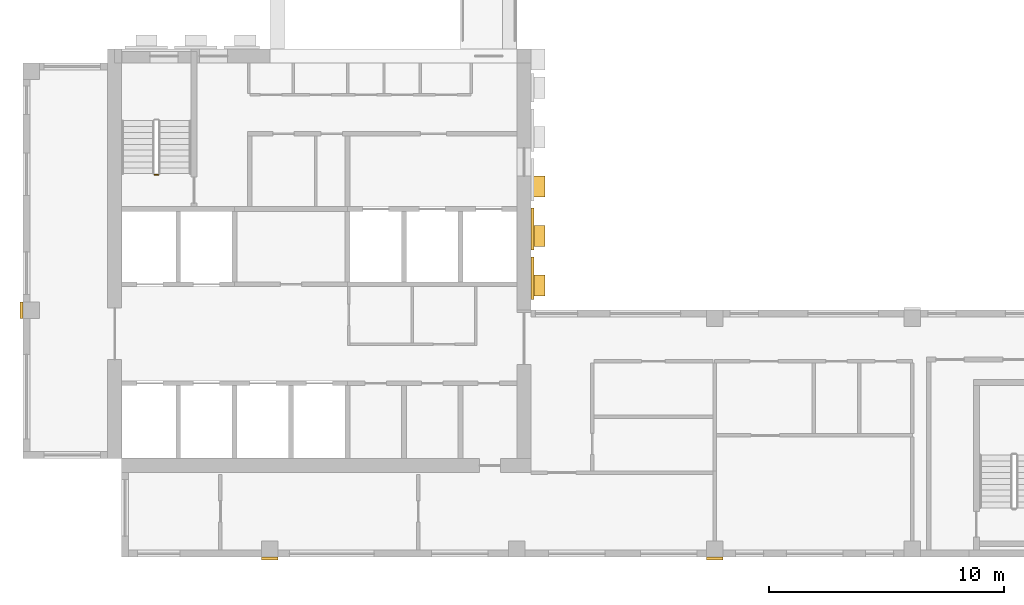
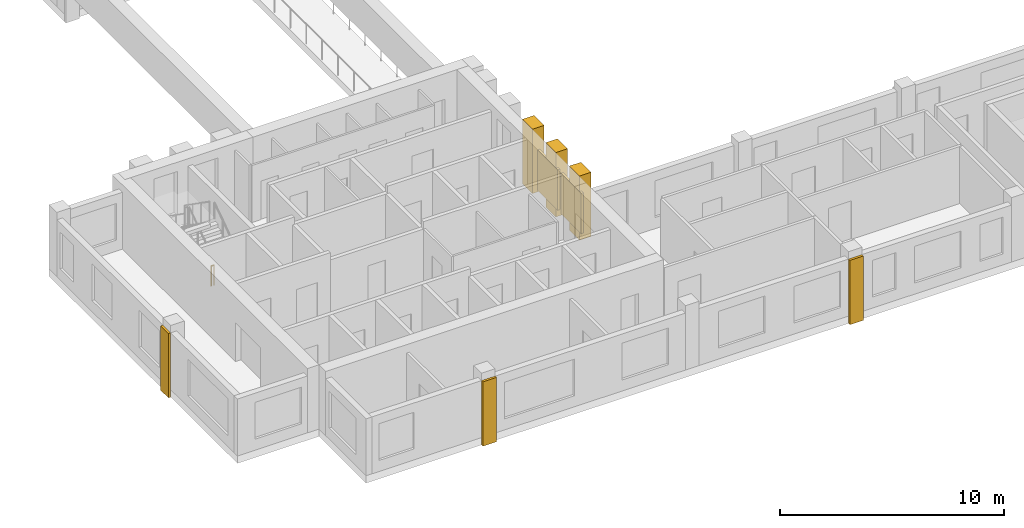
# One storey, part 6 of 9: 8 coverings, 1 railing.
"""IFC4 building model written with IfcOpenShell, lengths in metres."""

import ifcopenshell
import ifcopenshell.guid

model = None  # the IFC model being written
_history = None  # IfcOwnerHistory: only IFC2X3 demands one
_inside = {}  # id of a spatial element -> (the spatial element, [elements in it])
_under = {}  # id of a project, library or spatial element -> (it, [spatial elements below it])
_declared = {}  # id of a project -> (the project, [libraries it declares])
_typed = {}  # id of a type object -> (the type object, [elements of that type])
_made_of = {}  # id of a material, layer set ... -> (it, [elements and type objects made of it])


def new_model(schema):
    """Start an empty IFC model of exactly this schema.

    Asked for "IFC4X3", IfcOpenShell would pick the latest addendum, in which some entities
    have other attributes; the version numbers below select the first issue.
    IFC2X3 requires an IfcOwnerHistory on every rooted entity: one is made here for all.
    """
    global model, _history
    if schema == "IFC4X3":
        model = ifcopenshell.file(schema_version=(4, 3, 0, 0))
    else:
        model = ifcopenshell.file(schema=schema)
    _inside.clear()
    _under.clear()
    _declared.clear()
    _typed.clear()
    _made_of.clear()
    _history = None
    if model.schema == "IFC2X3":
        org = make("IfcOrganization", Name="unknown")
        user = make(
            "IfcPersonAndOrganization",
            ThePerson=make("IfcPerson", FamilyName="unknown"),
            TheOrganization=org,
        )
        app = make(
            "IfcApplication",
            ApplicationDeveloper=org,
            Version="unknown",
            ApplicationFullName="unknown",
            ApplicationIdentifier="unknown",
        )
        _history = make(
            "IfcOwnerHistory",
            OwningUser=user,
            OwningApplication=app,
            ChangeAction="ADDED",
            CreationDate=0,
        )
    return model


def make(cls, **values):
    """One entity of the class cls with the attributes given. An attribute that is None is left unset."""
    return model.create_entity(
        cls, **{name: value for name, value in values.items() if value is not None}
    )


def rooted(cls, **values):
    """An entity with a GlobalId (a new one), such as an element, a storey or a relation."""
    return make(cls, GlobalId=ifcopenshell.guid.new(), OwnerHistory=_history, **values)


def si_unit(unit_type, name, prefix=None):
    """IfcSIUnit, for example si_unit("LENGTHUNIT", "METRE", prefix="MILLI")."""
    return make("IfcSIUnit", UnitType=unit_type, Prefix=prefix, Name=name)


def assignment(units):
    """IfcUnitAssignment: the units of a project."""
    return None if units is None else make("IfcUnitAssignment", Units=units)


def point(xyz):
    """IfcCartesianPoint."""
    return None if xyz is None else make("IfcCartesianPoint", Coordinates=xyz)


def direction(xyz):
    """IfcDirection."""
    return None if xyz is None else make("IfcDirection", DirectionRatios=xyz)


def frame(location, z_axis=None, x_axis=None):
    """IfcAxis2Placement3D, a coordinate frame: its origin and axes. An axis left out is left unset."""
    return make(
        "IfcAxis2Placement3D",
        Location=point(location),
        Axis=direction(z_axis),
        RefDirection=direction(x_axis),
    )


def frame_2d(location, x_axis=None):
    """IfcAxis2Placement2D, a coordinate frame in the plane: its origin and x axis."""
    return make(
        "IfcAxis2Placement2D", Location=point(location), RefDirection=direction(x_axis)
    )


def origin():
    """The frame at (0, 0, 0) with its axes left unset."""
    return frame((0.0, 0.0, 0.0))


def origin_2d():
    """The frame at (0, 0) in the plane with its x axis left unset."""
    return frame_2d((0.0, 0.0))


def place(relative_to, where):
    """IfcLocalPlacement: puts the frame where relative to a parent placement (None: the world)."""
    return make(
        "IfcLocalPlacement", PlacementRelTo=relative_to, RelativePlacement=where
    )


def context(
    kind, dimensions, precision=None, world=None, true_north=None, identifier=None
):
    """IfcGeometricRepresentationContext, for example the 3D "Model" context."""
    return make(
        "IfcGeometricRepresentationContext",
        ContextIdentifier=identifier,
        ContextType=kind,
        CoordinateSpaceDimension=dimensions,
        Precision=precision,
        WorldCoordinateSystem=world,
        TrueNorth=true_north,
    )


def subcontext(parent, identifier, kind, view, scale=None):
    """IfcGeometricRepresentationSubContext, for example "Body" below "Model"."""
    return make(
        "IfcGeometricRepresentationSubContext",
        ContextIdentifier=identifier,
        ContextType=kind,
        ParentContext=parent,
        TargetScale=scale,
        TargetView=view,
    )


def project(units=None, contexts=None):
    """IfcProject with its units and contexts."""
    return rooted(
        "IfcProject",
        Name="project",
        RepresentationContexts=contexts,
        UnitsInContext=assignment(units),
    )


def spatial(cls, under=None, at=None, **own):
    """A site, building, storey or space (cls), placed at a placement, below another one or the project."""
    s = rooted(cls, ObjectPlacement=at, **own)
    if under is not None:
        _under.setdefault(under.id(), (under, []))[1].append(s)
    return s


def profile(cls, at=None, kind="AREA", **sizes):
    """A parametric profile (cls). Its sizes go by their IFC names, for example OverallWidth=200.0."""
    return make(cls, ProfileType=kind, Position=at, **sizes)


def rectangle(**sizes):
    """IfcRectangleProfileDef."""
    return profile("IfcRectangleProfileDef", **sizes)


def circle(**sizes):
    """IfcCircleProfileDef."""
    return profile("IfcCircleProfileDef", **sizes)


def extrude(swept, where, along, depth):
    """IfcExtrudedAreaSolid: the profile swept, set in the frame where, extruded along a direction by depth."""
    return make(
        "IfcExtrudedAreaSolid",
        SweptArea=swept,
        Position=where,
        ExtrudedDirection=direction(along),
        Depth=depth,
    )


def shape(context_of_items, identifier, shape_type, items):
    """IfcShapeRepresentation: the items that make up one representation, for example the "Body"."""
    return make(
        "IfcShapeRepresentation",
        ContextOfItems=context_of_items,
        RepresentationIdentifier=identifier,
        RepresentationType=shape_type,
        Items=items,
    )


def source(mapping_origin, context_of_items, identifier, shape_type, items):
    """IfcRepresentationMap: a shape defined once, which mapped items show again and again."""
    return make(
        "IfcRepresentationMap",
        MappingOrigin=mapping_origin,
        MappedRepresentation=shape(context_of_items, identifier, shape_type, items),
    )


def transform(
    local_origin,
    x_axis=None,
    y_axis=None,
    z_axis=None,
    scale=None,
    scale2=None,
    scale3=None,
    uniform=True,
):
    """IfcCartesianTransformationOperator3D, or its non-uniform kind. x_axis, y_axis, z_axis: its Axis1, 2, 3."""
    if uniform:
        return make(
            "IfcCartesianTransformationOperator3D",
            Axis1=direction(x_axis),
            Axis2=direction(y_axis),
            LocalOrigin=point(local_origin),
            Scale=scale,
            Axis3=direction(z_axis),
        )
    return make(
        "IfcCartesianTransformationOperator3DnonUniform",
        Axis1=direction(x_axis),
        Axis2=direction(y_axis),
        LocalOrigin=point(local_origin),
        Scale=scale,
        Axis3=direction(z_axis),
        Scale2=scale2,
        Scale3=scale3,
    )


def mapped(mapping_source, mapping_target):
    """IfcMappedItem: shows the shape of a source again, moved by a transform."""
    return make(
        "IfcMappedItem", MappingSource=mapping_source, MappingTarget=mapping_target
    )


def material(Name=None, Category=None):
    """IfcMaterial."""
    return make("IfcMaterial", Name=Name, Category=Category)


def made_of(thing, what):
    """Note that an element or type object is made of a material, layer set ...; save() writes the relation."""
    if what is not None:
        _made_of.setdefault(what.id(), (what, []))[1].append(thing)
    return thing


def type_object(cls, material=None, **own):
    """A type object (cls), such as IfcWallType, which elements share."""
    return made_of(rooted(cls, **own), material)


def element(
    cls,
    number,
    at=None,
    inside=None,
    cuts=None,
    type_object=None,
    material=None,
    context=None,
    identifier="Body",
    shape_type=None,
    held_by="IfcProductDefinitionShape",
    body=None,
    shapes=None,
    **own,
):
    """One element of the class cls, such as IfcWall. Its Tag is "e" and its number.

    at: its placement. inside: the storey or other place that contains it. cuts: it is an
    opening in that element (IfcRelVoidsElement). A single representation is given by context,
    identifier, shape_type and body (its items); several are given by shapes. held_by: the class
    of the entity that holds the representations. save() writes the other relations.
    """
    e = rooted(cls, Tag="e%d" % number, ObjectPlacement=at, **own)
    if body is not None:
        shapes = [shape(context, identifier, shape_type, body)]
    if shapes is not None:
        e.Representation = make(held_by, Representations=shapes)
    if inside is not None:
        _inside.setdefault(inside.id(), (inside, []))[1].append(e)
    if cuts is not None:
        rooted(
            "IfcRelVoidsElement", RelatingBuildingElement=cuts, RelatedOpeningElement=e
        )
    if type_object is not None:
        _typed.setdefault(type_object.id(), (type_object, []))[1].append(e)
    return made_of(e, material)


def aggregate(whole, parts):
    """IfcRelAggregates: a whole, such as a stair, and the parts it consists of."""
    return rooted("IfcRelAggregates", RelatingObject=whole, RelatedObjects=parts)


def save(model, path):
    """Write the relations noted so far, then the file.

    IfcRelAggregates (storeys below a building ...), IfcRelContainedInSpatialStructure (elements
    in a storey), IfcRelDefinesByType, IfcRelAssociatesMaterial and IfcRelDeclares: one each for
    every whole, place, type object, material and project.
    """
    for whole, parts in _under.values():
        aggregate(whole, parts)
    for where, things in _inside.values():
        rooted(
            "IfcRelContainedInSpatialStructure",
            RelatedElements=things,
            RelatingStructure=where,
        )
    for kind, things in _typed.values():
        rooted("IfcRelDefinesByType", RelatedObjects=things, RelatingType=kind)
    for what, things in _made_of.values():
        rooted("IfcRelAssociatesMaterial", RelatedObjects=things, RelatingMaterial=what)
    for by, libraries in _declared.values():
        rooted("IfcRelDeclares", RelatingContext=by, RelatedDefinitions=libraries)
    model.write(path)


model = new_model("IFC4")

# Units and contexts
model_context = context("Model", 3, precision=1e-05, world=origin(), true_north=direction((0.0, 1.0)))
body_context = subcontext(model_context, "Body", "Model", "MODEL_VIEW")
ifc_project = project(units=[si_unit("LENGTHUNIT", "METRE"), si_unit("AREAUNIT", "SQUARE_METRE"), si_unit("VOLUMEUNIT", "CUBIC_METRE"), si_unit("PLANEANGLEUNIT", "RADIAN"), si_unit("MASSUNIT", "GRAM", prefix="KILO")], contexts=[model_context])

# Site, building, storey
site_placement = place(None, origin())
site = spatial("IfcSite", under=ifc_project, at=site_placement, CompositionType="ELEMENT")
building_placement = place(site_placement, origin())
building = spatial("IfcBuilding", under=site, at=building_placement, Name="Aurelian Terraces", CompositionType="ELEMENT")
storey_placement = place(building_placement, frame((0.0, 0.0, 323.0)))
storey = spatial("IfcBuildingStorey", under=building, at=storey_placement, Name="L75", CompositionType="ELEMENT", Elevation=323.0)

# Coverings
ifc_material_1 = material(Name="Terracotta rainscreen cladding louvre blades", Category="masonry")
covering_type_1 = type_object("IfcCoveringType", Name="LOUVRE-TC", PredefinedType="CLADDING", material=ifc_material_1)
shared_shape_1 = source(origin(), body_context, "Body", "SweptSolid", [
    extrude(rectangle(XDim=0.12, YDim=1.8, at=origin_2d()), origin(), (0.0, 0.0, 1.0), 2.2),
])
for number, where, z_axis, x_axis, name in (
    (1, (21.66, 11.85, 0.45), (0.0, 0.0, 1.0), (1.0, 0.0, 0.0), "LOUVRE L75 core face E.1"),
    (2, (21.66, 13.95, 0.45), (0.0, 0.0, 1.0), (1.0, 0.0, 0.0), "LOUVRE L75 core face E.2"),
):
    element("IfcCovering", number, at=place(storey_placement, frame(where, z_axis=z_axis, x_axis=x_axis)), inside=storey, type_object=covering_type_1, Name=name, PredefinedType="CLADDING", context=body_context, shape_type="MappedRepresentation", body=[
        mapped(shared_shape_1, transform((0.0, 0.0, 0.0), scale=1.0)),
    ])
ifc_material_2 = material(Name="Terracotta rainscreen cladding relief", Category="masonry")
covering_type_2 = type_object("IfcCoveringType", Name="BAGUETTE-TC", PredefinedType="CLADDING", material=ifc_material_2)
shared_shape_2 = source(origin(), body_context, "Body", "SweptSolid", [
    extrude(rectangle(XDim=0.7, YDim=0.12, at=origin_2d()), origin(), (0.0, 0.0, 1.0), 3.5),
])
for number, where, z_axis, x_axis, name in (
    (3, (10.5, -0.06, -0.4), (0.0, 0.0, 1.0), (1.0, 0.0, 0.0), "BAGUETTE pier L75 1"),
    (4, (29.4, -0.06, -0.4), (0.0, 0.0, 1.0), (1.0, 0.0, 0.0), "BAGUETTE pier L75 2"),
):
    element("IfcCovering", number, at=place(storey_placement, frame(where, z_axis=z_axis, x_axis=x_axis)), inside=storey, type_object=covering_type_2, Name=name, PredefinedType="CLADDING", context=body_context, shape_type="MappedRepresentation", body=[
        mapped(shared_shape_2, transform((0.0, 0.0, 0.0), scale=1.0)),
    ])
shared_shape_3 = source(origin(), body_context, "Body", "SweptSolid", [
    extrude(rectangle(XDim=0.12, YDim=0.7, at=origin_2d()), origin(), (0.0, 0.0, 1.0), 3.5),
])
covering_placement = place(storey_placement, frame((-0.06, 10.5, -0.4), z_axis=(0.0, 0.0, 1.0), x_axis=(1.0, 0.0, 0.0)))
element("IfcCovering", 5, at=covering_placement, inside=storey, type_object=covering_type_2, Name="BAGUETTE pier L75 5", PredefinedType="CLADDING", context=body_context, shape_type="MappedRepresentation", body=[
    mapped(shared_shape_3, transform((0.0, 0.0, 0.0), scale=1.0)),
])

# Railing
ifc_material_3 = material(Name="Stainless steel", Category="steel")
railing_type = type_object("IfcRailingType", Name="Stair guard 1100", PredefinedType="GUARDRAIL", material=ifc_material_3)
shared_shape_4 = source(origin(), body_context, "Body", "SweptSolid", [
    extrude(circle(Radius=0.024, at=origin_2d()), frame((0.0, 0.0, 1.076), z_axis=(-1.0, 0.0, 0.0), x_axis=(0.0, -1.0, 0.0)), (0.0, 0.0, 1.0), 0.15),
    extrude(circle(Radius=0.021, at=origin_2d()), origin(), (0.0, 0.0, 1.0), 1.052),
    extrude(circle(Radius=0.021, at=origin_2d()), frame((-0.15, 0.0, 0.0)), (0.0, 0.0, 1.0), 1.052),
])
railing_placement = place(storey_placement, frame((5.75, 16.25, 0.0)))
element("IfcRailing", 6, at=railing_placement, inside=storey, type_object=railing_type, Name="L75 S1 stair guard 4", PredefinedType="GUARDRAIL", context=body_context, shape_type="MappedRepresentation", body=[
    mapped(shared_shape_4, transform((0.0, 0.0, 0.0), scale=1.0)),
])

# Coverings
covering_type_3 = type_object("IfcCoveringType", Name="Core spine pier 900x600", PredefinedType="CLADDING", material=ifc_material_2)
shared_shape_5 = source(origin(), body_context, "Body", "SweptSolid", [
    extrude(rectangle(XDim=0.6, YDim=0.9, at=origin_2d()), origin(), (0.0, 0.0, 1.0), 3.5),
])
for number, where, z_axis, x_axis, name in (
    (7, (21.9, 11.55, 0.0), (0.0, 0.0, 1.0), (1.0, 0.0, 0.0), "Spine pier L75 E1"),
    (8, (21.9, 13.65, 0.0), (0.0, 0.0, 1.0), (1.0, 0.0, 0.0), "Spine pier L75 E2"),
    (9, (21.9, 15.75, 0.0), (0.0, 0.0, 1.0), (1.0, 0.0, 0.0), "Spine pier L75 E3"),
):
    element("IfcCovering", number, at=place(storey_placement, frame(where, z_axis=z_axis, x_axis=x_axis)), inside=storey, type_object=covering_type_3, Name=name, PredefinedType="CLADDING", context=body_context, shape_type="MappedRepresentation", body=[
        mapped(shared_shape_5, transform((0.0, 0.0, 0.0), scale=1.0)),
    ])

save(model, "model.ifc")
